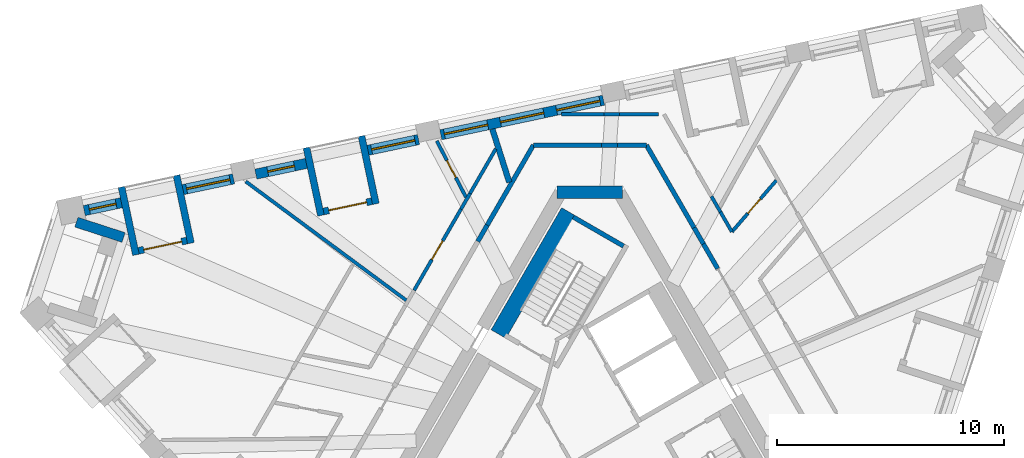
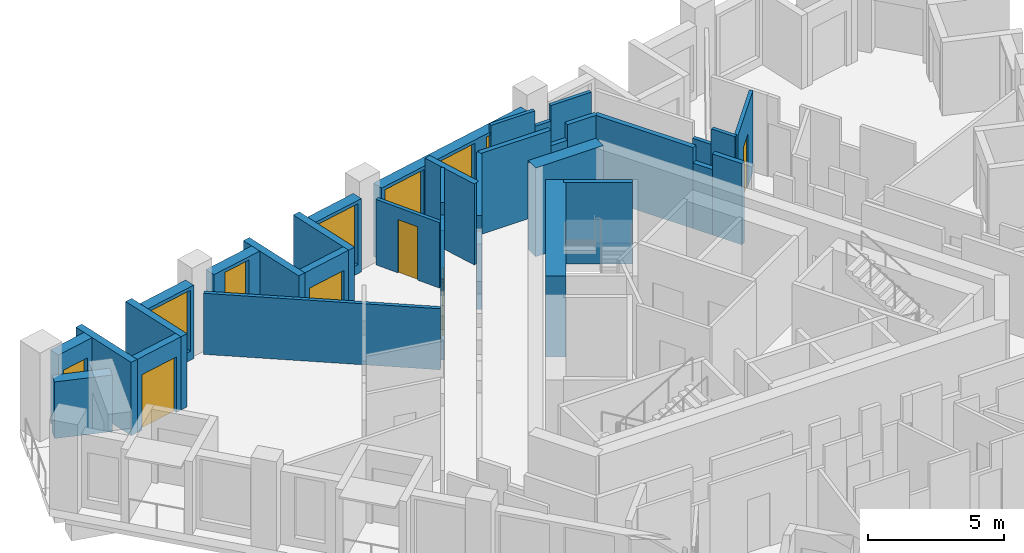
# One storey, part 7 of 13: 35 walls, 7 windows, 5 doors, 12 openings.
"""IFC4 building model written with IfcOpenShell, lengths in metres."""

import ifcopenshell
import ifcopenshell.guid

model = None  # the IFC model being written
_history = None  # IfcOwnerHistory: only IFC2X3 demands one
_inside = {}  # id of a spatial element -> (the spatial element, [elements in it])
_under = {}  # id of a project, library or spatial element -> (it, [spatial elements below it])
_declared = {}  # id of a project -> (the project, [libraries it declares])
_typed = {}  # id of a type object -> (the type object, [elements of that type])
_made_of = {}  # id of a material, layer set ... -> (it, [elements and type objects made of it])


def new_model(schema):
    """Start an empty IFC model of exactly this schema.

    Asked for "IFC4X3", IfcOpenShell would pick the latest addendum, in which some entities
    have other attributes; the version numbers below select the first issue.
    IFC2X3 requires an IfcOwnerHistory on every rooted entity: one is made here for all.
    """
    global model, _history
    if schema == "IFC4X3":
        model = ifcopenshell.file(schema_version=(4, 3, 0, 0))
    else:
        model = ifcopenshell.file(schema=schema)
    _inside.clear()
    _under.clear()
    _declared.clear()
    _typed.clear()
    _made_of.clear()
    _history = None
    if model.schema == "IFC2X3":
        org = make("IfcOrganization", Name="unknown")
        user = make(
            "IfcPersonAndOrganization",
            ThePerson=make("IfcPerson", FamilyName="unknown"),
            TheOrganization=org,
        )
        app = make(
            "IfcApplication",
            ApplicationDeveloper=org,
            Version="unknown",
            ApplicationFullName="unknown",
            ApplicationIdentifier="unknown",
        )
        _history = make(
            "IfcOwnerHistory",
            OwningUser=user,
            OwningApplication=app,
            ChangeAction="ADDED",
            CreationDate=0,
        )
    return model


def make(cls, **values):
    """One entity of the class cls with the attributes given. An attribute that is None is left unset."""
    return model.create_entity(
        cls, **{name: value for name, value in values.items() if value is not None}
    )


def rooted(cls, **values):
    """An entity with a GlobalId (a new one), such as an element, a storey or a relation."""
    return make(cls, GlobalId=ifcopenshell.guid.new(), OwnerHistory=_history, **values)


def si_unit(unit_type, name, prefix=None):
    """IfcSIUnit, for example si_unit("LENGTHUNIT", "METRE", prefix="MILLI")."""
    return make("IfcSIUnit", UnitType=unit_type, Prefix=prefix, Name=name)


def assignment(units):
    """IfcUnitAssignment: the units of a project."""
    return None if units is None else make("IfcUnitAssignment", Units=units)


def point(xyz):
    """IfcCartesianPoint."""
    return None if xyz is None else make("IfcCartesianPoint", Coordinates=xyz)


def direction(xyz):
    """IfcDirection."""
    return None if xyz is None else make("IfcDirection", DirectionRatios=xyz)


def frame(location, z_axis=None, x_axis=None):
    """IfcAxis2Placement3D, a coordinate frame: its origin and axes. An axis left out is left unset."""
    return make(
        "IfcAxis2Placement3D",
        Location=point(location),
        Axis=direction(z_axis),
        RefDirection=direction(x_axis),
    )


def frame_2d(location, x_axis=None):
    """IfcAxis2Placement2D, a coordinate frame in the plane: its origin and x axis."""
    return make(
        "IfcAxis2Placement2D", Location=point(location), RefDirection=direction(x_axis)
    )


def origin():
    """The frame at (0, 0, 0) with its axes left unset."""
    return frame((0.0, 0.0, 0.0))


def place(relative_to, where):
    """IfcLocalPlacement: puts the frame where relative to a parent placement (None: the world)."""
    return make(
        "IfcLocalPlacement", PlacementRelTo=relative_to, RelativePlacement=where
    )


def context(
    kind, dimensions, precision=None, world=None, true_north=None, identifier=None
):
    """IfcGeometricRepresentationContext, for example the 3D "Model" context."""
    return make(
        "IfcGeometricRepresentationContext",
        ContextIdentifier=identifier,
        ContextType=kind,
        CoordinateSpaceDimension=dimensions,
        Precision=precision,
        WorldCoordinateSystem=world,
        TrueNorth=true_north,
    )


def subcontext(parent, identifier, kind, view, scale=None):
    """IfcGeometricRepresentationSubContext, for example "Body" below "Model"."""
    return make(
        "IfcGeometricRepresentationSubContext",
        ContextIdentifier=identifier,
        ContextType=kind,
        ParentContext=parent,
        TargetScale=scale,
        TargetView=view,
    )


def project(units=None, contexts=None):
    """IfcProject with its units and contexts."""
    return rooted(
        "IfcProject",
        Name="project",
        RepresentationContexts=contexts,
        UnitsInContext=assignment(units),
    )


def spatial(cls, under=None, at=None, **own):
    """A site, building, storey or space (cls), placed at a placement, below another one or the project."""
    s = rooted(cls, ObjectPlacement=at, **own)
    if under is not None:
        _under.setdefault(under.id(), (under, []))[1].append(s)
    return s


def profile(cls, at=None, kind="AREA", **sizes):
    """A parametric profile (cls). Its sizes go by their IFC names, for example OverallWidth=200.0."""
    return make(cls, ProfileType=kind, Position=at, **sizes)


def rectangle(**sizes):
    """IfcRectangleProfileDef."""
    return profile("IfcRectangleProfileDef", **sizes)


def extrude(swept, where, along, depth):
    """IfcExtrudedAreaSolid: the profile swept, set in the frame where, extruded along a direction by depth."""
    return make(
        "IfcExtrudedAreaSolid",
        SweptArea=swept,
        Position=where,
        ExtrudedDirection=direction(along),
        Depth=depth,
    )


def shape(context_of_items, identifier, shape_type, items):
    """IfcShapeRepresentation: the items that make up one representation, for example the "Body"."""
    return make(
        "IfcShapeRepresentation",
        ContextOfItems=context_of_items,
        RepresentationIdentifier=identifier,
        RepresentationType=shape_type,
        Items=items,
    )


def material(Name=None, Category=None):
    """IfcMaterial."""
    return make("IfcMaterial", Name=Name, Category=Category)


def layer(
    of_material, thickness, ventilated=None, Name=None, Category=None, Priority=None
):
    """IfcMaterialLayer: one layer of a wall or slab, of a material (None: an air gap)."""
    return make(
        "IfcMaterialLayer",
        Material=of_material,
        LayerThickness=thickness,
        IsVentilated=ventilated,
        Name=Name,
        Category=Category,
        Priority=Priority,
    )


def layer_set(layers, Name=None):
    """IfcMaterialLayerSet."""
    return make("IfcMaterialLayerSet", MaterialLayers=layers, LayerSetName=Name)


def made_of(thing, what):
    """Note that an element or type object is made of a material, layer set ...; save() writes the relation."""
    if what is not None:
        _made_of.setdefault(what.id(), (what, []))[1].append(thing)
    return thing


def type_object(cls, material=None, **own):
    """A type object (cls), such as IfcWallType, which elements share."""
    return made_of(rooted(cls, **own), material)


def element(
    cls,
    number,
    at=None,
    inside=None,
    cuts=None,
    type_object=None,
    material=None,
    context=None,
    identifier="Body",
    shape_type=None,
    held_by="IfcProductDefinitionShape",
    body=None,
    shapes=None,
    **own,
):
    """One element of the class cls, such as IfcWall. Its Tag is "e" and its number.

    at: its placement. inside: the storey or other place that contains it. cuts: it is an
    opening in that element (IfcRelVoidsElement). A single representation is given by context,
    identifier, shape_type and body (its items); several are given by shapes. held_by: the class
    of the entity that holds the representations. save() writes the other relations.
    """
    e = rooted(cls, Tag="e%d" % number, ObjectPlacement=at, **own)
    if body is not None:
        shapes = [shape(context, identifier, shape_type, body)]
    if shapes is not None:
        e.Representation = make(held_by, Representations=shapes)
    if inside is not None:
        _inside.setdefault(inside.id(), (inside, []))[1].append(e)
    if cuts is not None:
        rooted(
            "IfcRelVoidsElement", RelatingBuildingElement=cuts, RelatedOpeningElement=e
        )
    if type_object is not None:
        _typed.setdefault(type_object.id(), (type_object, []))[1].append(e)
    return made_of(e, material)


def fill(opening, filler):
    """IfcRelFillsElement: the door or window that sits in an opening."""
    return rooted(
        "IfcRelFillsElement",
        RelatingOpeningElement=opening,
        RelatedBuildingElement=filler,
    )


def aggregate(whole, parts):
    """IfcRelAggregates: a whole, such as a stair, and the parts it consists of."""
    return rooted("IfcRelAggregates", RelatingObject=whole, RelatedObjects=parts)


def save(model, path):
    """Write the relations noted so far, then the file.

    IfcRelAggregates (storeys below a building ...), IfcRelContainedInSpatialStructure (elements
    in a storey), IfcRelDefinesByType, IfcRelAssociatesMaterial and IfcRelDeclares: one each for
    every whole, place, type object, material and project.
    """
    for whole, parts in _under.values():
        aggregate(whole, parts)
    for where, things in _inside.values():
        rooted(
            "IfcRelContainedInSpatialStructure",
            RelatedElements=things,
            RelatingStructure=where,
        )
    for kind, things in _typed.values():
        rooted("IfcRelDefinesByType", RelatedObjects=things, RelatingType=kind)
    for what, things in _made_of.values():
        rooted("IfcRelAssociatesMaterial", RelatedObjects=things, RelatingMaterial=what)
    for by, libraries in _declared.values():
        rooted("IfcRelDeclares", RelatingContext=by, RelatedDefinitions=libraries)
    model.write(path)


model = new_model("IFC4")

# Units and contexts
model_context = context("Model", 3, precision=1e-05, world=origin(), true_north=direction((0.0, 1.0)))
body_context = subcontext(model_context, "Body", "Model", "MODEL_VIEW")
ifc_project = project(units=[si_unit("LENGTHUNIT", "METRE"), si_unit("AREAUNIT", "SQUARE_METRE"), si_unit("VOLUMEUNIT", "CUBIC_METRE"), si_unit("PLANEANGLEUNIT", "RADIAN"), si_unit("MASSUNIT", "GRAM", prefix="KILO")], contexts=[model_context])

# Site, building, storey
site_placement = place(None, origin())
site = spatial("IfcSite", under=ifc_project, at=site_placement, CompositionType="ELEMENT")
building_placement = place(site_placement, origin())
building = spatial("IfcBuilding", under=site, at=building_placement, Name="Tramontana Tower", CompositionType="ELEMENT")
storey_placement = place(building_placement, frame((0.0, 0.0, 324.39990234375)))
storey = spatial("IfcBuildingStorey", under=building, at=storey_placement, Name="L74", CompositionType="ELEMENT", Elevation=324.39990234375)

# Walls
ifc_material_1 = material(Name="Concrete 70 MPa", Category="concrete")
ifc_layer_1 = layer(ifc_material_1, 0.550048828125)
ifc_layer_set_1 = layer_set([ifc_layer_1], Name="Core wall 550 70 MPa")
wall_type_1 = type_object("IfcWallType", Name="Core wall 550 70 MPa", PredefinedType="SHEAR", material=ifc_layer_set_1)
wall_1_placement = place(storey_placement, frame((1.443359375, 10.72509765625, 0.0), z_axis=(0.0, 0.0, 1.0), x_axis=(-1.0, 0.0, 0.0)))
element("IfcWall", 1, at=wall_1_placement, inside=storey, type_object=wall_type_1, Name="Core wall C0 L74", PredefinedType="SHEAR", context=body_context, shape_type="SweptSolid", body=[
    extrude(rectangle(XDim=2.88671875, YDim=0.550048828125, at=frame_2d((1.443359375, 0.0))), origin(), (0.0, 0.0, 1.0), 4.0),
])
ifc_material_2 = material(Name="Blockwork", Category="masonry")
ifc_layer_2 = layer(ifc_material_2, 0.199951171875)
ifc_layer_set_2 = layer_set([ifc_layer_2], Name="ENTRY WALL 200")
wall_type_2 = type_object("IfcWallType", Name="ENTRY WALL 200", PredefinedType="SOLIDWALL", material=ifc_layer_set_2)
wall_2_placement = place(storey_placement, frame((-4.9287109375, 8.563232421875, 0.0), z_axis=(0.0, 0.0, 1.0), x_axis=(0.500046299512, 0.865998671098, 0.0)))
element("IfcWall", 2, at=wall_2_placement, inside=storey, type_object=wall_type_2, Name="Wall v80-ew3-9", PredefinedType="SOLIDWALL", context=body_context, shape_type="SweptSolid", body=[
    extrude(rectangle(XDim=0.82666015625, YDim=0.199951171875, at=frame_2d((0.413330078125, 0.0))), origin(), (0.0, 0.0, 1.0), 2.9501953125),
])
wall_3_placement = place(storey_placement, frame((-4.515380859375, 9.279052734375, 0.0), z_axis=(0.0, 0.0, 1.0), x_axis=(0.499975428181, 0.866039589866, 0.0)))
element("IfcWall", 3, at=wall_3_placement, inside=storey, type_object=wall_type_2, Name="Wall v80-ew3-10", PredefinedType="SOLIDWALL", context=body_context, shape_type="SweptSolid", body=[
    extrude(rectangle(XDim=4.065673828125, YDim=0.199951171875, at=frame_2d((2.03271484375, 0.0))), origin(), (0.0, 0.0, 1.0), 3.650146484375),
])
wall_4_placement = place(storey_placement, frame((-2.482666015625, 12.800048828125, 0.0), z_axis=(0.0, 0.0, 1.0), x_axis=(1.0, 0.0, 0.0)))
element("IfcWall", 4, at=wall_4_placement, inside=storey, type_object=wall_type_2, Name="Wall v80-ew4-0", PredefinedType="SOLIDWALL", context=body_context, shape_type="SweptSolid", body=[
    extrude(rectangle(XDim=3.0029296875, YDim=0.199951171875, at=frame_2d((1.50146484375, 0.0))), origin(), (0.0, 0.0, 1.0), 3.650146484375),
])
wall_5_placement = place(storey_placement, frame((0.520263671875, 12.800048828125, 0.0), z_axis=(0.0, 0.0, 1.0), x_axis=(1.0, 0.0, 0.0)))
element("IfcWall", 5, at=wall_5_placement, inside=storey, type_object=wall_type_2, Name="Wall v80-ew4-1", PredefinedType="SOLIDWALL", context=body_context, shape_type="SweptSolid", body=[
    extrude(rectangle(XDim=0.701416015625, YDim=0.199951171875, at=frame_2d((0.3505859375, 0.0))), origin(), (0.0, 0.0, 1.0), 2.9501953125),
])
wall_6_placement = place(storey_placement, frame((1.2216796875, 12.800048828125, 0.0), z_axis=(0.0, 0.0, 1.0), x_axis=(1.0, 0.0, 0.0)))
element("IfcWall", 6, at=wall_6_placement, inside=storey, type_object=wall_type_2, Name="Wall v80-ew4-2", PredefinedType="SOLIDWALL", context=body_context, shape_type="SweptSolid", body=[
    extrude(rectangle(XDim=1.260986328125, YDim=0.199951171875, at=frame_2d((0.63037109375, 0.0))), origin(), (0.0, 0.0, 1.0), 3.650146484375),
])
wall_7_placement = place(storey_placement, frame((2.482666015625, 12.800048828125, 0.0), z_axis=(0.0, 0.0, 1.0), x_axis=(0.499982771656, -0.866035350345, 0.0)))
element("IfcWall", 7, at=wall_7_placement, inside=storey, type_object=wall_type_2, Name="Wall v80-ew5-0", PredefinedType="SOLIDWALL", context=body_context, shape_type="SweptSolid", body=[
    extrude(rectangle(XDim=4.194580078125, YDim=0.199951171875, at=frame_2d((2.09716796875, 0.0))), origin(), (0.0, 0.0, 1.0), 3.650146484375),
])
wall_8_placement = place(storey_placement, frame((4.579833984375, 9.16748046875, 0.0), z_axis=(0.0, 0.0, 1.0), x_axis=(0.499945576647, -0.866056822842, 0.0)))
element("IfcWall", 8, at=wall_8_placement, inside=storey, type_object=wall_type_2, Name="Wall v80-ew5-1", PredefinedType="SOLIDWALL", context=body_context, shape_type="SweptSolid", body=[
    extrude(rectangle(XDim=0.82080078125, YDim=0.199951171875, at=frame_2d((0.410400390625, 0.0))), origin(), (0.0, 0.0, 1.0), 2.9501953125),
])
wall_9_placement = place(storey_placement, frame((4.990234375, 8.45654296875, 0.0), z_axis=(0.0, 0.0, 1.0), x_axis=(0.500031220278, -0.866007377998, 0.0)))
element("IfcWall", 9, at=wall_9_placement, inside=storey, type_object=wall_type_2, Name="Wall v80-ew5-2", PredefinedType="SOLIDWALL", context=body_context, shape_type="SweptSolid", body=[
    extrude(rectangle(XDim=1.2548828125, YDim=0.199951171875, at=frame_2d((0.62744140625, 0.0))), origin(), (0.0, 0.0, 1.0), 3.650146484375),
])

# Wall, openings, windows
ifc_material_3 = material(Name="Precast concrete 60 MPa", Category="concrete")
ifc_layer_3 = layer(ifc_material_3, 0.449951171875)
ifc_layer_set_3 = layer_set([ifc_layer_3], Name="Precast concrete 60 MPa, 450 mm")
wall_type_3 = type_object("IfcWallType", Name="EW1 Stone-faced precast wall 450", PredefinedType="SOLIDWALL", material=ifc_layer_set_3)
wall_10_placement = place(storey_placement, frame((0.5986328125, 14.772216796875, 0.0), z_axis=(0.0, 0.0, 1.0), x_axis=(-0.978151299843, -0.207894287118, 0.0)))
wall_10 = element("IfcWall", 10, at=wall_10_placement, inside=storey, type_object=wall_type_3, Name="External wall L74 face 2 bay 3", PredefinedType="SOLIDWALL", context=body_context, shape_type="SweptSolid", body=[
    extrude(rectangle(XDim=7.31396484375, YDim=0.449951171875, at=frame_2d((3.656982421875, 0.0))), origin(), (0.0, 0.0, 1.0), 3.300048828125),
])
opening_1_placement = place(wall_10_placement, frame((0.16064453125, 0.0, 0.39990234375)))
opening_1 = element("IfcOpeningElement", 11, at=opening_1_placement, cuts=wall_10, Name="Opening M3", PredefinedType="OPENING", context=body_context, shape_type="SweptSolid", body=[
    extrude(rectangle(XDim=1.949951171875, YDim=2.75, at=frame_2d((0.97509765625, 1.375))), frame((0.0, 0.23486328125, 0.0), z_axis=(0.0, -1.0, 0.0), x_axis=(1.0, 0.0, 0.0)), (0.0, 0.0, 1.0), 0.469970703125),
])
opening_2_placement = place(wall_10_placement, frame((2.681884765625, 0.0, 0.39990234375)))
opening_2 = element("IfcOpeningElement", 12, at=opening_2_placement, cuts=wall_10, Name="Opening M3", PredefinedType="OPENING", context=body_context, shape_type="SweptSolid", body=[
    extrude(rectangle(XDim=1.949951171875, YDim=2.75, at=frame_2d((0.97509765625, 1.375))), frame((0.0, 0.23486328125, 0.0), z_axis=(0.0, -1.0, 0.0), x_axis=(1.0, 0.0, 0.0)), (0.0, 0.0, 1.0), 0.469970703125),
])
opening_3_placement = place(wall_10_placement, frame((5.203125, 0.0, 0.39990234375)))
opening_3 = element("IfcOpeningElement", 13, at=opening_3_placement, cuts=wall_10, Name="Opening M3", PredefinedType="OPENING", context=body_context, shape_type="SweptSolid", body=[
    extrude(rectangle(XDim=1.949951171875, YDim=2.75, at=frame_2d((0.97509765625, 1.375))), frame((0.0, 0.23486328125, 0.0), z_axis=(0.0, -1.0, 0.0), x_axis=(1.0, 0.0, 0.0)), (0.0, 0.0, 1.0), 0.469970703125),
])
ifc_material_4 = material(Name="Aluminum frame, double glazing unit", Category="aluminium")
window_type_1 = type_object("IfcWindowType", Name="M3 Window 1.95 x 2.75", PartitioningType="SINGLE_PANEL", PredefinedType="WINDOW", material=ifc_material_4)
window_1_placement = place(opening_1_placement, origin())
window_1 = element("IfcWindow", 14, at=window_1_placement, inside=storey, type_object=window_type_1, Name="Window M3 L74 face 2 module 7", OverallHeight=2.75, OverallWidth=1.949951171875, PartitioningType="SINGLE_PANEL", PredefinedType="WINDOW", context=body_context, shape_type="SweptSolid", body=[
    extrude(rectangle(XDim=1.949951171875, YDim=2.75, at=frame_2d((0.97509765625, 1.375))), frame((0.0, 0.030029296875, 0.0), z_axis=(0.0, -1.0, 0.0), x_axis=(1.0, 0.0, 0.0)), (0.0, 0.0, 1.0), 0.06005859375),
])
fill(opening_1, window_1)
window_2_placement = place(opening_2_placement, origin())
window_2 = element("IfcWindow", 15, at=window_2_placement, inside=storey, type_object=window_type_1, Name="Window M3 L74 face 2 module 8", OverallHeight=2.75, OverallWidth=1.949951171875, PartitioningType="SINGLE_PANEL", PredefinedType="WINDOW", context=body_context, shape_type="SweptSolid", body=[
    extrude(rectangle(XDim=1.949951171875, YDim=2.75, at=frame_2d((0.97509765625, 1.375))), frame((0.0, 0.030029296875, 0.0), z_axis=(0.0, -1.0, 0.0), x_axis=(1.0, 0.0, 0.0)), (0.0, 0.0, 1.0), 0.06005859375),
])
fill(opening_2, window_2)
window_3_placement = place(opening_3_placement, origin())
window_3 = element("IfcWindow", 16, at=window_3_placement, inside=storey, type_object=window_type_1, Name="Window M3 L74 face 2 module 9", OverallHeight=2.75, OverallWidth=1.949951171875, PartitioningType="SINGLE_PANEL", PredefinedType="WINDOW", context=body_context, shape_type="SweptSolid", body=[
    extrude(rectangle(XDim=1.949951171875, YDim=2.75, at=frame_2d((0.97509765625, 1.375))), frame((0.0, 0.030029296875, 0.0), z_axis=(0.0, -1.0, 0.0), x_axis=(1.0, 0.0, 0.0)), (0.0, 0.0, 1.0), 0.06005859375),
])
fill(opening_3, window_3)

# Wall, opening, window
wall_11_placement = place(storey_placement, frame((-7.533447265625, 13.043701171875, 0.0), z_axis=(0.0, 0.0, 1.0), x_axis=(-0.978153386925, -0.207884467067, 0.0)))
wall_11 = element("IfcWall", 17, at=wall_11_placement, inside=storey, type_object=wall_type_3, Name="External wall L74 face 2 bay 4", PredefinedType="SOLIDWALL", context=body_context, shape_type="SweptSolid", body=[
    extrude(rectangle(XDim=2.271240234375, YDim=0.449951171875, at=frame_2d((1.1357421875, 0.0))), origin(), (0.0, 0.0, 1.0), 3.300048828125),
])
opening_4_placement = place(wall_11_placement, frame((0.16064453125, 0.0, 0.39990234375)))
opening_4 = element("IfcOpeningElement", 18, at=opening_4_placement, cuts=wall_11, Name="Opening M3", PredefinedType="OPENING", context=body_context, shape_type="SweptSolid", body=[
    extrude(rectangle(XDim=1.949951171875, YDim=2.75, at=frame_2d((0.97509765625, 1.375))), frame((0.0, 0.23486328125, 0.0), z_axis=(0.0, -1.0, 0.0), x_axis=(1.0, 0.0, 0.0)), (0.0, 0.0, 1.0), 0.469970703125),
])
window_4_placement = place(opening_4_placement, origin())
window_4 = element("IfcWindow", 19, at=window_4_placement, inside=storey, type_object=window_type_1, Name="Window M3 L74 face 2 module 10", OverallHeight=2.75, OverallWidth=1.949951171875, PartitioningType="SINGLE_PANEL", PredefinedType="WINDOW", context=body_context, shape_type="SweptSolid", body=[
    extrude(rectangle(XDim=1.949951171875, YDim=2.75, at=frame_2d((0.97509765625, 1.375))), frame((0.0, 0.030029296875, 0.0), z_axis=(0.0, -1.0, 0.0), x_axis=(1.0, 0.0, 0.0)), (0.0, 0.0, 1.0), 0.06005859375),
])
fill(opening_4, window_4)

wall_12_placement = place(storey_placement, frame((-12.4658203125, 11.995361328125, 0.0), z_axis=(0.0, 0.0, 1.0), x_axis=(-0.978153386925, -0.207884467067, 0.0)))
wall_12 = element("IfcWall", 20, at=wall_12_placement, inside=storey, type_object=wall_type_3, Name="External wall L74 face 2 bay 4", PredefinedType="SOLIDWALL", context=body_context, shape_type="SweptSolid", body=[
    extrude(rectangle(XDim=2.271240234375, YDim=0.449951171875, at=frame_2d((1.1357421875, 0.0))), origin(), (0.0, 0.0, 1.0), 3.300048828125),
])
opening_5_placement = place(wall_12_placement, frame((0.53564453125, 0.0, 0.39990234375)))
opening_5 = element("IfcOpeningElement", 21, at=opening_5_placement, cuts=wall_12, Name="Opening N3", PredefinedType="OPENING", context=body_context, shape_type="SweptSolid", body=[
    extrude(rectangle(XDim=1.199951171875, YDim=2.75, at=frame_2d((0.60009765625, 1.375))), frame((0.0, 0.23486328125, 0.0), z_axis=(0.0, -1.0, 0.0), x_axis=(1.0, 0.0, 0.0)), (0.0, 0.0, 1.0), 0.469970703125),
])
ifc_material_5 = material(Name="Aluminum frame, double glazing unit", Category="aluminium")
window_type_2 = type_object("IfcWindowType", Name="N3 Window 1.2 x 2.75", PartitioningType="SINGLE_PANEL", PredefinedType="WINDOW", material=ifc_material_5)
window_5_placement = place(opening_5_placement, origin())
window_5 = element("IfcWindow", 22, at=window_5_placement, inside=storey, type_object=window_type_2, Name="Window N3 L74 face 2 module 12", OverallHeight=2.75, OverallWidth=1.199951171875, PartitioningType="SINGLE_PANEL", PredefinedType="WINDOW", context=body_context, shape_type="SweptSolid", body=[
    extrude(rectangle(XDim=1.199951171875, YDim=2.75, at=frame_2d((0.60009765625, 1.375))), frame((0.0, 0.030029296875, 0.0), z_axis=(0.0, -1.0, 0.0), x_axis=(1.0, 0.0, 0.0)), (0.0, 0.0, 1.0), 0.06005859375),
])
fill(opening_5, window_5)

wall_13_placement = place(storey_placement, frame((-15.665771484375, 11.315185546875, 0.0), z_axis=(0.0, 0.0, 1.0), x_axis=(-0.978148740936, -0.207906326516, 0.0)))
wall_13 = element("IfcWall", 23, at=wall_13_placement, inside=storey, type_object=wall_type_3, Name="External wall L74 face 2 bay 5", PredefinedType="SOLIDWALL", context=body_context, shape_type="SweptSolid", body=[
    extrude(rectangle(XDim=2.27099609375, YDim=0.449951171875, at=frame_2d((1.135498046875, 0.0))), origin(), (0.0, 0.0, 1.0), 3.300048828125),
])
opening_6_placement = place(wall_13_placement, frame((0.16064453125, 0.0, 0.39990234375)))
opening_6 = element("IfcOpeningElement", 24, at=opening_6_placement, cuts=wall_13, Name="Opening M3", PredefinedType="OPENING", context=body_context, shape_type="SweptSolid", body=[
    extrude(rectangle(XDim=1.949951171875, YDim=2.75, at=frame_2d((0.97509765625, 1.375))), frame((0.0, 0.23486328125, 0.0), z_axis=(0.0, -1.0, 0.0), x_axis=(1.0, 0.0, 0.0)), (0.0, 0.0, 1.0), 0.469970703125),
])
window_6_placement = place(opening_6_placement, origin())
window_6 = element("IfcWindow", 25, at=window_6_placement, inside=storey, type_object=window_type_1, Name="Window M3 L74 face 2 module 13", OverallHeight=2.75, OverallWidth=1.949951171875, PartitioningType="SINGLE_PANEL", PredefinedType="WINDOW", context=body_context, shape_type="SweptSolid", body=[
    extrude(rectangle(XDim=1.949951171875, YDim=2.75, at=frame_2d((0.97509765625, 1.375))), frame((0.0, 0.030029296875, 0.0), z_axis=(0.0, -1.0, 0.0), x_axis=(1.0, 0.0, 0.0)), (0.0, 0.0, 1.0), 0.06005859375),
])
fill(opening_6, window_6)

wall_14_placement = place(storey_placement, frame((-20.59814453125, 10.266845703125, 0.0), z_axis=(0.0, 0.0, 1.0), x_axis=(-0.978126168783, -0.208012494676, 0.0)))
wall_14 = element("IfcWall", 26, at=wall_14_placement, inside=storey, type_object=wall_type_3, Name="External wall L74 face 2 bay 5", PredefinedType="SOLIDWALL", context=body_context, shape_type="SweptSolid", body=[
    extrude(rectangle(XDim=1.67138671875, YDim=0.449951171875, at=frame_2d((0.835693359375, 0.0))), origin(), (0.0, 0.0, 1.0), 3.300048828125),
])
opening_7_placement = place(wall_14_placement, frame((0.235595703125, 0.0, 0.39990234375)))
opening_7 = element("IfcOpeningElement", 27, at=opening_7_placement, cuts=wall_14, Name="Opening N3L", PredefinedType="OPENING", context=body_context, shape_type="SweptSolid", body=[
    extrude(rectangle(XDim=1.199951171875, YDim=2.10009765625, at=frame_2d((0.60009765625, 1.050048828125))), frame((0.0, 0.23486328125, 0.0), z_axis=(0.0, -1.0, 0.0), x_axis=(1.0, 0.0, 0.0)), (0.0, 0.0, 1.0), 0.469970703125),
])
ifc_material_6 = material(Name="Aluminum frame, double glazing unit", Category="aluminium")
window_type_3 = type_object("IfcWindowType", Name="N3L Window 1.2 x 2.1", PartitioningType="SINGLE_PANEL", PredefinedType="WINDOW", material=ifc_material_6)
window_7_placement = place(opening_7_placement, origin())
window_7 = element("IfcWindow", 28, at=window_7_placement, inside=storey, type_object=window_type_3, Name="Window N3L L74 face 2 module 15", OverallHeight=2.10009765625, OverallWidth=1.199951171875, PartitioningType="SINGLE_PANEL", PredefinedType="WINDOW", context=body_context, shape_type="SweptSolid", body=[
    extrude(rectangle(XDim=1.199951171875, YDim=2.10009765625, at=frame_2d((0.60009765625, 1.050048828125))), frame((0.0, 0.030029296875, 0.0), z_axis=(0.0, -1.0, 0.0), x_axis=(1.0, 0.0, 0.0)), (0.0, 0.0, 1.0), 0.06005859375),
])
fill(opening_7, window_7)

# Wall
wall_15_placement = place(storey_placement, frame((-22.57568359375, 9.411865234375, 0.0), z_axis=(0.0, 0.0, 1.0), x_axis=(0.951064526973, -0.308992338955, 0.0)))
element("IfcWall", 29, at=wall_15_placement, inside=storey, type_object=wall_type_3, Name="Corner loggia side wall L74 K80r", PredefinedType="SOLIDWALL", context=body_context, shape_type="SweptSolid", body=[
    extrude(rectangle(XDim=2.17919921875, YDim=0.449951171875, at=frame_2d((1.089599609375, 0.0))), origin(), (0.0, 0.0, 1.0), 2.550048828125),
])

# Wall, opening, door
ifc_material_7 = material(Name="Precast concrete 60 MPa", Category="concrete")
ifc_layer_4 = layer(ifc_material_7, 0.300048828125)
ifc_layer_set_4 = layer_set([ifc_layer_4], Name="LW1 Stone-faced loggia wall 300")
wall_type_4 = type_object("IfcWallType", Name="LW1 Stone-faced loggia wall 300", PredefinedType="SOLIDWALL", material=ifc_layer_set_4)
wall_16_placement = place(storey_placement, frame((-9.5859375, 10.332763671875, 0.0), z_axis=(0.0, 0.0, 1.0), x_axis=(-0.978148276005, -0.207908513891, 0.0)))
wall_16 = element("IfcWall", 30, at=wall_16_placement, inside=storey, type_object=wall_type_4, Name="Loggia wall L74 G8S2.10", PredefinedType="SOLIDWALL", context=body_context, shape_type="SweptSolid", body=[
    extrude(rectangle(XDim=2.171142578125, YDim=0.300048828125, at=frame_2d((1.08544921875, 0.0))), origin(), (0.0, 0.0, 1.0), 3.300048828125),
])
opening_8_placement = place(wall_16_placement, frame((0.235595703125, 0.0, 0.0)))
opening_8 = element("IfcOpeningElement", 31, at=opening_8_placement, cuts=wall_16, Name="Opening BD-8S2-10", PredefinedType="OPENING", context=body_context, shape_type="SweptSolid", body=[
    extrude(rectangle(XDim=1.699951171875, YDim=2.5, at=frame_2d((0.85009765625, 1.25))), frame((0.0, 0.159912109375, 0.0), z_axis=(0.0, -1.0, 0.0), x_axis=(1.0, 0.0, 0.0)), (0.0, 0.0, 1.0), 0.320068359375),
])
ifc_material_8 = material(Name="Aluminum frame, double glazing unit", Category="aluminium")
door_type_1 = type_object("IfcDoorType", Name="BD3 Sliding door 1.7 x 2.5", OperationType="SLIDING_TO_LEFT", PredefinedType="DOOR", material=ifc_material_8)
door_1_placement = place(opening_8_placement, origin())
door_1 = element("IfcDoor", 32, at=door_1_placement, inside=storey, type_object=door_type_1, Name="Loggia door L74 G8S2.10", OperationType="SLIDING_TO_LEFT", OverallHeight=2.5, OverallWidth=1.699951171875, PredefinedType="DOOR", context=body_context, shape_type="SweptSolid", body=[
    extrude(rectangle(XDim=1.699951171875, YDim=2.5, at=frame_2d((0.85009765625, 1.25))), frame((0.0, 0.02490234375, 0.0), z_axis=(0.0, -1.0, 0.0), x_axis=(1.0, 0.0, 0.0)), (0.0, 0.0, 1.0), 0.050048828125),
])
fill(opening_8, door_1)

# Walls
for number, where, z_axis, x_axis, name in (
    (33, (-10.042236328125, 13.20068359375, 0.0), (0.0, 0.0, 1.0), (0.207954487003, -0.978138503145, 0.0), "Loggia return L74 G8S2.10a"),
    (34, (-12.45947265625, 12.686767578125, 0.0), (0.0, 0.0, 1.0), (0.207877902534, -0.978154782045, 0.0), "Loggia return L74 G8S2.10b"),
):
    element("IfcWall", number, at=place(storey_placement, frame(where, z_axis=z_axis, x_axis=x_axis)), inside=storey, type_object=wall_type_4, Name=name, PredefinedType="SOLIDWALL", context=body_context, shape_type="SweptSolid", body=[
        extrude(rectangle(XDim=3.050048828125, YDim=0.300048828125, at=frame_2d((1.52490234375, 0.0))), origin(), (0.0, 0.0, 1.0), 3.300048828125),
    ])

# Wall, opening, door
wall_17_placement = place(storey_placement, frame((-17.71826171875, 8.604248046875, 0.0), z_axis=(0.0, 0.0, 1.0), x_axis=(-0.978148276005, -0.207908513891, 0.0)))
wall_17 = element("IfcWall", 35, at=wall_17_placement, inside=storey, type_object=wall_type_4, Name="Loggia wall L74 G8S2.13", PredefinedType="SOLIDWALL", context=body_context, shape_type="SweptSolid", body=[
    extrude(rectangle(XDim=2.171142578125, YDim=0.300048828125, at=frame_2d((1.08544921875, 0.0))), origin(), (0.0, 0.0, 1.0), 3.300048828125),
])
opening_9_placement = place(wall_17_placement, frame((0.235595703125, 0.0, 0.0)))
opening_9 = element("IfcOpeningElement", 36, at=opening_9_placement, cuts=wall_17, Name="Opening BD-8S2-13", PredefinedType="OPENING", context=body_context, shape_type="SweptSolid", body=[
    extrude(rectangle(XDim=1.699951171875, YDim=2.5, at=frame_2d((0.85009765625, 1.25))), frame((0.0, 0.159912109375, 0.0), z_axis=(0.0, -1.0, 0.0), x_axis=(1.0, 0.0, 0.0)), (0.0, 0.0, 1.0), 0.320068359375),
])
door_2_placement = place(opening_9_placement, origin())
door_2 = element("IfcDoor", 37, at=door_2_placement, inside=storey, type_object=door_type_1, Name="Loggia door L74 G8S2.13", OperationType="SLIDING_TO_LEFT", OverallHeight=2.5, OverallWidth=1.699951171875, PredefinedType="DOOR", context=body_context, shape_type="SweptSolid", body=[
    extrude(rectangle(XDim=1.699951171875, YDim=2.5, at=frame_2d((0.85009765625, 1.25))), frame((0.0, 0.02490234375, 0.0), z_axis=(0.0, -1.0, 0.0), x_axis=(1.0, 0.0, 0.0)), (0.0, 0.0, 1.0), 0.050048828125),
])
fill(opening_9, door_2)

# Walls
wall_18_placement = place(storey_placement, frame((-18.17431640625, 11.471923828125, 0.0), z_axis=(0.0, 0.0, 1.0), x_axis=(0.207894179953, -0.978151322619, 0.0)))
element("IfcWall", 38, at=wall_18_placement, inside=storey, type_object=wall_type_4, Name="Loggia return L74 G8S2.13a", PredefinedType="SOLIDWALL", context=body_context, shape_type="SweptSolid", body=[
    extrude(rectangle(XDim=3.0498046875, YDim=0.300048828125, at=frame_2d((1.52490234375, 0.0))), origin(), (0.0, 0.0, 1.0), 3.300048828125),
])
wall_19_placement = place(storey_placement, frame((-20.591552734375, 10.958251953125, 0.0), z_axis=(0.0, 0.0, 1.0), x_axis=(0.207877902534, -0.978154782045, 0.0)))
element("IfcWall", 39, at=wall_19_placement, inside=storey, type_object=wall_type_4, Name="Loggia return L74 G8S2.13b", PredefinedType="SOLIDWALL", context=body_context, shape_type="SweptSolid", body=[
    extrude(rectangle(XDim=3.050048828125, YDim=0.300048828125, at=frame_2d((1.52490234375, 0.0))), origin(), (0.0, 0.0, 1.0), 3.300048828125),
])
ifc_material_9 = material(Name="Gypsum board partition")
ifc_layer_5 = layer(ifc_material_9, 0.14990234375)
ifc_layer_set_5 = layer_set([ifc_layer_5], Name="PARTITION 150")
wall_type_5 = type_object("IfcWallType", Name="PARTITION 150", PredefinedType="PARTITIONING", material=ifc_layer_set_5)
wall_20_placement = place(storey_placement, frame((-15.1298828125, 11.198974609375, 0.0), z_axis=(0.0, 0.0, 1.0), x_axis=(0.80377624172, -0.594931721499, 0.0)))
element("IfcWall", 40, at=wall_20_placement, inside=storey, type_object=wall_type_5, Name="Wall v80-pw00-0", PredefinedType="PARTITIONING", context=body_context, shape_type="SweptSolid", body=[
    extrude(rectangle(XDim=8.783935546875, YDim=0.14990234375, at=frame_2d((4.39208984375, 0.0))), origin(), (0.0, 0.0, 1.0), 2.75),
])

# Wall, opening, door
wall_21_placement = place(storey_placement, frame((-7.726806640625, 6.416748046875, 0.0), z_axis=(0.0, 0.0, 1.0), x_axis=(0.50002680699, 0.866009926209, 0.0)))
wall_21 = element("IfcWall", 41, at=wall_21_placement, inside=storey, type_object=wall_type_5, Name="Wall v80-pw08-4", PredefinedType="PARTITIONING", context=body_context, shape_type="SweptSolid", body=[
    extrude(rectangle(XDim=4.119873046875, YDim=0.14990234375, at=frame_2d((2.06005859375, 0.0))), origin(), (0.0, 0.0, 1.0), 3.650146484375),
])
opening_10_placement = place(wall_21_placement, frame((1.56103515625, 0.0, 0.0)))
opening_10 = element("IfcOpeningElement", 42, at=opening_10_placement, cuts=wall_21, Name="Opening B8A-04", PredefinedType="OPENING", context=body_context, shape_type="SweptSolid", body=[
    extrude(rectangle(XDim=0.949951171875, YDim=2.39990234375, at=frame_2d((0.47509765625, 1.199951171875))), frame((0.0, 0.0849609375, 0.0), z_axis=(0.0, -1.0, 0.0), x_axis=(1.0, 0.0, 0.0)), (0.0, 0.0, 1.0), 0.169921875),
])
ifc_material_10 = material(Name="Painted timber", Category="wood")
door_type_2 = type_object("IfcDoorType", Name="DOOR ROOM 950", OperationType="SINGLE_SWING_LEFT", PredefinedType="DOOR", material=ifc_material_10)
door_3_placement = place(opening_10_placement, origin())
door_3 = element("IfcDoor", 43, at=door_3_placement, inside=storey, type_object=door_type_2, Name="Door B8A-04", OperationType="SINGLE_SWING_RIGHT", OverallHeight=2.39990234375, OverallWidth=0.949951171875, PredefinedType="DOOR", context=body_context, shape_type="SweptSolid", body=[
    extrude(rectangle(XDim=0.949951171875, YDim=2.39990234375, at=frame_2d((0.47509765625, 1.199951171875))), frame((0.0, 0.02490234375, 0.0), z_axis=(0.0, -1.0, 0.0), x_axis=(1.0, 0.0, 0.0)), (0.0, 0.0, 1.0), 0.050048828125),
])
fill(opening_10, door_3)

# Walls
wall_22_placement = place(storey_placement, frame((-5.666748046875, 9.984619140625, 0.0), z_axis=(0.0, 0.0, 1.0), x_axis=(0.499961121316, 0.86604784924, 0.0)))
element("IfcWall", 44, at=wall_22_placement, inside=storey, type_object=wall_type_5, Name="Wall v80-pw08-5", PredefinedType="PARTITIONING", context=body_context, shape_type="SweptSolid", body=[
    extrude(rectangle(XDim=0.796875, YDim=0.14990234375, at=frame_2d((0.3984375, 0.0))), origin(), (0.0, 0.0, 1.0), 2.9501953125),
])
wall_23_placement = place(storey_placement, frame((-5.268310546875, 10.6748046875, 0.0), z_axis=(0.0, 0.0, 1.0), x_axis=(0.499956642393, 0.866050434864, 0.0)))
element("IfcWall", 45, at=wall_23_placement, inside=storey, type_object=wall_type_5, Name="Wall v80-pw08-6", PredefinedType="PARTITIONING", context=body_context, shape_type="SweptSolid", body=[
    extrude(rectangle(XDim=2.256103515625, YDim=0.14990234375, at=frame_2d((1.1279296875, 0.0))), origin(), (0.0, 0.0, 1.0), 3.650146484375),
])

# Wall, opening, door
wall_24_placement = place(storey_placement, frame((-6.732177734375, 12.984130859375, 0.0), z_axis=(0.0, 0.0, 1.0), x_axis=(0.460309491074, -0.887758510197, 0.0)))
wall_24 = element("IfcWall", 46, at=wall_24_placement, inside=storey, type_object=wall_type_5, Name="Wall v80-pw11-0", PredefinedType="PARTITIONING", context=body_context, shape_type="SweptSolid", body=[
    extrude(rectangle(XDim=2.7861328125, YDim=0.14990234375, at=frame_2d((1.39306640625, 0.0))), origin(), (0.0, 0.0, 1.0), 2.9501953125),
])
opening_11_placement = place(wall_24_placement, frame((0.968017578125, 0.0, 0.0)))
opening_11 = element("IfcOpeningElement", 47, at=opening_11_placement, cuts=wall_24, Name="Opening B8A-06", PredefinedType="OPENING", context=body_context, shape_type="SweptSolid", body=[
    extrude(rectangle(XDim=0.85009765625, YDim=2.39990234375, at=frame_2d((0.425048828125, 1.199951171875))), frame((0.0, 0.0849609375, 0.0), z_axis=(0.0, -1.0, 0.0), x_axis=(1.0, 0.0, 0.0)), (0.0, 0.0, 1.0), 0.169921875),
])
ifc_material_11 = material(Name="Painted timber", Category="wood")
door_type_3 = type_object("IfcDoorType", Name="DOOR BATH 850", OperationType="SINGLE_SWING_LEFT", PredefinedType="DOOR", material=ifc_material_11)
door_4_placement = place(opening_11_placement, origin())
door_4 = element("IfcDoor", 48, at=door_4_placement, inside=storey, type_object=door_type_3, Name="Door B8A-06", OperationType="SINGLE_SWING_RIGHT", OverallHeight=2.39990234375, OverallWidth=0.85009765625, PredefinedType="DOOR", context=body_context, shape_type="SweptSolid", body=[
    extrude(rectangle(XDim=0.85009765625, YDim=2.39990234375, at=frame_2d((0.425048828125, 1.199951171875))), frame((0.0, 0.02490234375, 0.0), z_axis=(0.0, -1.0, 0.0), x_axis=(1.0, 0.0, 0.0)), (0.0, 0.0, 1.0), 0.050048828125),
])
fill(opening_11, door_4)

# Walls
wall_25_placement = place(storey_placement, frame((-1.24658203125, 14.14990234375, 0.0), z_axis=(0.0, 0.0, 1.0), x_axis=(1.0, 0.0, 0.0)))
element("IfcWall", 49, at=wall_25_placement, inside=storey, type_object=wall_type_5, Name="Wall v80-pw15-0", PredefinedType="PARTITIONING", context=body_context, shape_type="SweptSolid", body=[
    extrude(rectangle(XDim=1.87109375, YDim=0.14990234375, at=frame_2d((0.935546875, 0.0))), origin(), (0.0, 0.0, 1.0), 3.650146484375),
])
wall_26_placement = place(storey_placement, frame((0.62451171875, 14.14990234375, 0.0), z_axis=(0.0, 0.0, 1.0), x_axis=(1.0, 0.0, 0.0)))
element("IfcWall", 50, at=wall_26_placement, inside=storey, type_object=wall_type_5, Name="Wall v80-pw15-1", PredefinedType="PARTITIONING", context=body_context, shape_type="SweptSolid", body=[
    extrude(rectangle(XDim=0.676513671875, YDim=0.14990234375, at=frame_2d((0.33837890625, 0.0))), origin(), (0.0, 0.0, 1.0), 2.9501953125),
])
wall_27_placement = place(storey_placement, frame((1.301025390625, 14.14990234375, 0.0), z_axis=(0.0, 0.0, 1.0), x_axis=(1.0, 0.0, 0.0)))
element("IfcWall", 51, at=wall_27_placement, inside=storey, type_object=wall_type_5, Name="Wall v80-pw15-2", PredefinedType="PARTITIONING", context=body_context, shape_type="SweptSolid", body=[
    extrude(rectangle(XDim=1.724365234375, YDim=0.14990234375, at=frame_2d((0.8623046875, 0.0))), origin(), (0.0, 0.0, 1.0), 3.650146484375),
])
wall_28_placement = place(storey_placement, frame((5.3427734375, 10.546142578125, 0.0), z_axis=(0.0, 0.0, 1.0), x_axis=(0.499953838557, -0.866052053466, 0.0)))
element("IfcWall", 52, at=wall_28_placement, inside=storey, type_object=wall_type_5, Name="Wall v80-pw18-1", PredefinedType="PARTITIONING", context=body_context, shape_type="SweptSolid", body=[
    extrude(rectangle(XDim=0.79150390625, YDim=0.14990234375, at=frame_2d((0.395751953125, 0.0))), origin(), (0.0, 0.0, 1.0), 2.9501953125),
])
wall_29_placement = place(storey_placement, frame((5.738525390625, 9.860595703125, 0.0), z_axis=(0.0, 0.0, 1.0), x_axis=(0.500030770168, -0.866007637891, 0.0)))
element("IfcWall", 53, at=wall_29_placement, inside=storey, type_object=wall_type_5, Name="Wall v80-pw18-2", PredefinedType="PARTITIONING", context=body_context, shape_type="SweptSolid", body=[
    extrude(rectangle(XDim=1.00537109375, YDim=0.14990234375, at=frame_2d((0.502685546875, 0.0))), origin(), (0.0, 0.0, 1.0), 3.650146484375),
])

# Wall, opening, door
wall_30_placement = place(storey_placement, frame((6.245849609375, 8.98974609375, 0.0), z_axis=(0.0, 0.0, 1.0), x_axis=(0.653775215384, 0.756688818306, 0.0)))
wall_30 = element("IfcWall", 54, at=wall_30_placement, inside=storey, type_object=wall_type_5, Name="Wall v80-pw22", PredefinedType="PARTITIONING", context=body_context, shape_type="SweptSolid", body=[
    extrude(rectangle(XDim=2.98681640625, YDim=0.14990234375, at=frame_2d((1.493408203125, 0.0))), origin(), (0.0, 0.0, 1.0), 3.650146484375),
])
opening_12_placement = place(wall_30_placement, frame((1.068359375, 0.0, 0.0)))
opening_12 = element("IfcOpeningElement", 55, at=opening_12_placement, cuts=wall_30, Name="Opening B8A-14", PredefinedType="OPENING", context=body_context, shape_type="SweptSolid", body=[
    extrude(rectangle(XDim=0.85009765625, YDim=2.39990234375, at=frame_2d((0.425048828125, 1.199951171875))), frame((0.0, 0.0849609375, 0.0), z_axis=(0.0, -1.0, 0.0), x_axis=(1.0, 0.0, 0.0)), (0.0, 0.0, 1.0), 0.169921875),
])
door_5_placement = place(opening_12_placement, origin())
door_5 = element("IfcDoor", 56, at=door_5_placement, inside=storey, type_object=door_type_3, Name="Door B8A-14", OperationType="SINGLE_SWING_RIGHT", OverallHeight=2.39990234375, OverallWidth=0.85009765625, PredefinedType="DOOR", context=body_context, shape_type="SweptSolid", body=[
    extrude(rectangle(XDim=0.85009765625, YDim=2.39990234375, at=frame_2d((0.425048828125, 1.199951171875))), frame((0.0, 0.02490234375, 0.0), z_axis=(0.0, -1.0, 0.0), x_axis=(1.0, 0.0, 0.0)), (0.0, 0.0, 1.0), 0.050048828125),
])
fill(opening_12, door_5)

# Walls
ifc_material_12 = material(Name="Blockwork", Category="masonry")
ifc_layer_6 = layer(ifc_material_12, 0.25)
ifc_layer_set_6 = layer_set([ifc_layer_6], Name="PARTY WALL 250")
wall_type_6 = type_object("IfcWallType", Name="PARTY WALL 250", PredefinedType="SOLIDWALL", material=ifc_layer_set_6)
wall_31_placement = place(storey_placement, frame((-4.286865234375, 13.50390625, 0.0), z_axis=(0.0, 0.0, 1.0), x_axis=(0.302510346388, -0.95314610125, 0.0)))
element("IfcWall", 57, at=wall_31_placement, inside=storey, type_object=wall_type_6, Name="Wall v80-pw12", PredefinedType="SOLIDWALL", context=body_context, shape_type="SweptSolid", body=[
    extrude(rectangle(XDim=2.45654296875, YDim=0.25, at=frame_2d((1.228271484375, 0.0))), origin(), (0.0, 0.0, 1.0), 3.650146484375),
])
ifc_material_13 = material(Name="Concrete 70 MPa", Category="concrete")
ifc_layer_7 = layer(ifc_material_13, 0.75)
ifc_layer_set_7 = layer_set([ifc_layer_7], Name="Concrete 70 MPa, 750 mm")
wall_type_7 = type_object("IfcWallType", Name="RC SHAFT BACK WALL 750", PredefinedType="SOLIDWALL", material=ifc_layer_set_7)
wall_32_placement = place(storey_placement, frame((-0.91796875, 9.85986328125, 0.0), z_axis=(0.0, 0.0, 1.0), x_axis=(-0.500026960575, -0.86600983753, 0.0)))
element("IfcWall", 58, at=wall_32_placement, inside=storey, type_object=wall_type_7, Name="Wall st1-back", PredefinedType="SOLIDWALL", context=body_context, shape_type="SweptSolid", body=[
    extrude(rectangle(XDim=6.199951171875, YDim=0.75, at=frame_2d((3.10009765625, 0.0))), origin(), (0.0, 0.0, 1.0), 3.650146484375),
])
ifc_material_14 = material(Name="Concrete 70 MPa", Category="concrete")
ifc_layer_8 = layer(ifc_material_14, 0.199951171875)
ifc_layer_set_8 = layer_set([ifc_layer_8], Name="Concrete 70 MPa, 200 mm")
wall_type_8 = type_object("IfcWallType", Name="RC STAIR AND SHAFT WALL 200", PredefinedType="SOLIDWALL", material=ifc_layer_set_8)
wall_33_placement = place(storey_placement, frame((1.478515625, 8.36083984375, 0.0), z_axis=(0.0, 0.0, 1.0), x_axis=(-0.865989465428, 0.500062241894, 0.0)))
element("IfcWall", 59, at=wall_33_placement, inside=storey, type_object=wall_type_8, Name="Wall st1-far", PredefinedType="SOLIDWALL", context=body_context, shape_type="SweptSolid", body=[
    extrude(rectangle(XDim=2.550048828125, YDim=0.199951171875, at=frame_2d((1.27490234375, 0.0))), origin(), (0.0, 0.0, 1.0), 3.650146484375),
])

save(model, "model.ifc")
